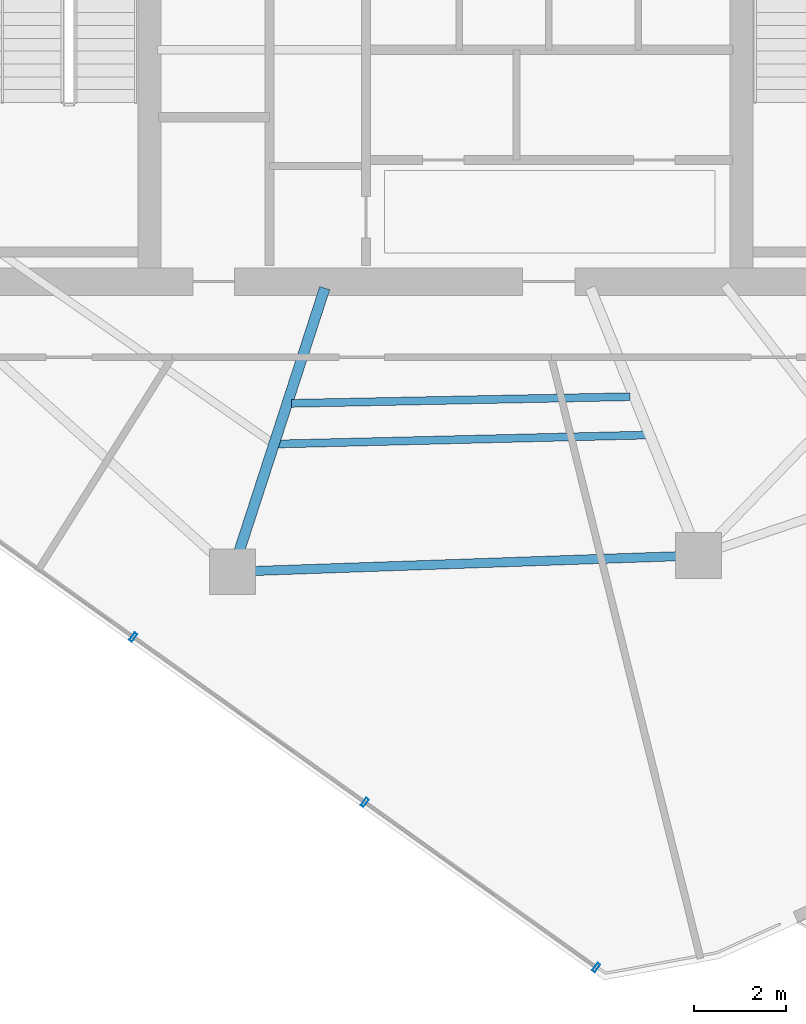
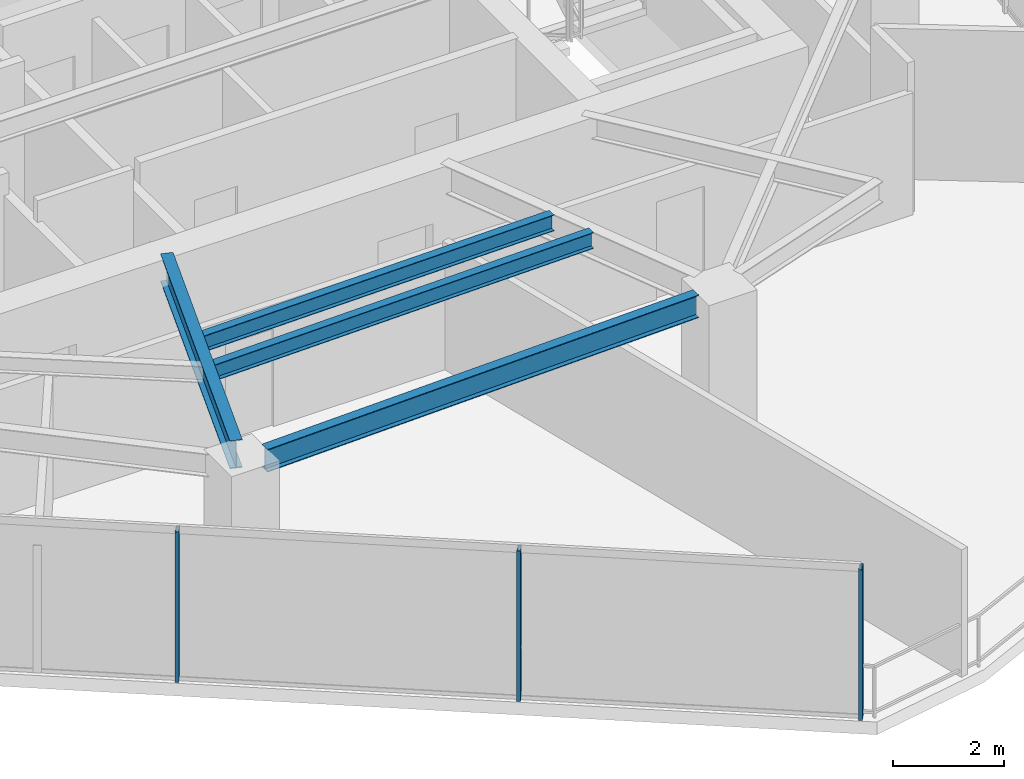
# One storey, part 4 of 21: 4 beams, 3 members, 1 element without a shape of its own.
"""IFC4 building model written with IfcOpenShell, lengths in metres."""

from ifc_helpers import new_model, si_unit, direction, frame, origin, origin_2d, place, context, subcontext, project, spatial, hollow_rectangle, i_section, extrude, material, layer, layer_set, material_profile, profile_set, type_object, element, aggregate, save


model = new_model("IFC4")

# Units and contexts
model_context = context("Model", 3, precision=1e-05, world=origin(), true_north=direction((0.0, 1.0)))
body_context = subcontext(model_context, "Body", "Model", "MODEL_VIEW")
ifc_project = project(units=[si_unit("LENGTHUNIT", "METRE"), si_unit("AREAUNIT", "SQUARE_METRE"), si_unit("VOLUMEUNIT", "CUBIC_METRE"), si_unit("PLANEANGLEUNIT", "RADIAN"), si_unit("MASSUNIT", "GRAM", prefix="KILO")], contexts=[model_context])

# Site, building, storey
site_placement = place(None, origin())
site = spatial("IfcSite", under=ifc_project, at=site_placement, CompositionType="ELEMENT")
building_placement = place(site_placement, origin())
building = spatial("IfcBuilding", under=site, at=building_placement, Name="Qarnah Convention Tower", CompositionType="ELEMENT")
storey_placement = place(building_placement, frame((0.0, 0.0, 158.10009765625)))
storey = spatial("IfcBuildingStorey", under=building, at=storey_placement, Name="L42", CompositionType="ELEMENT", Elevation=158.10009765625)

# Beams
ifc_material_1 = material(Name="Structural steel S355JR", Category="steel")
ifc_material_profile_1 = material_profile(ifc_material_1, i_section(OverallWidth=0.172119140625, OverallDepth=0.35595703125, WebThickness=0.007080078125, FlangeThickness=0.011962890625, at=origin_2d()), Name="W360X51")
ifc_profile_set_1 = profile_set([ifc_material_profile_1], Name="Structural steel S355JR")
beam_type_1 = type_object("IfcBeamType", Name="BM-JST-W360", PredefinedType="JOIST", material=ifc_profile_set_1)
beam_1_placement = place(storey_placement, frame((33.60498046875, 15.06103515625, 3.141845703125), z_axis=(0.999707078051, 0.024202439856, 0.0), x_axis=(-0.024202439856, 0.999707078051, 0.0)))
element("IfcBeam", 1, at=beam_1_placement, inside=storey, type_object=beam_type_1, Name="L42 joist BM-L42-SJST-07", PredefinedType="JOIST", context=body_context, shape_type="SweptSolid", body=[
    extrude(i_section(OverallWidth=0.172119140625, OverallDepth=0.35595703125, WebThickness=0.007080078125, FlangeThickness=0.011962890625, at=origin_2d()), origin(), (0.0, 0.0, 1.0), 8.009521484375),
])
beam_2_placement = place(storey_placement, frame((33.89306640625, 15.946044921875, 3.141845703125), z_axis=(0.999807032835, 0.019644263612, 0.0), x_axis=(-0.019644263612, 0.999807032835, 0.0)))
element("IfcBeam", 2, at=beam_2_placement, inside=storey, type_object=beam_type_1, Name="L42 joist BM-L42-IJST-07", PredefinedType="JOIST", context=body_context, shape_type="SweptSolid", body=[
    extrude(i_section(OverallWidth=0.172119140625, OverallDepth=0.35595703125, WebThickness=0.007080078125, FlangeThickness=0.011962890625, at=origin_2d()), origin(), (0.0, 0.0, 1.0), 7.38232421875),
])
ifc_material_profile_2 = material_profile(ifc_material_1, i_section(OverallWidth=0.22998046875, OverallDepth=0.617919921875, WebThickness=0.012939453125, FlangeThickness=0.02197265625, at=origin_2d()), Name="W610X140")
ifc_profile_set_2 = profile_set([ifc_material_profile_2], Name="Structural steel S355JR")
beam_type_2 = type_object("IfcBeamType", Name="BM-RAD-W610A", PredefinedType="BEAM", material=ifc_profile_set_2)
beam_3_placement = place(storey_placement, frame((34.6201171875, 18.45703125, 3.010986328125), z_axis=(-0.30919796314, -0.950997696942, 0.0), x_axis=(0.950997696942, -0.30919796314, 0.0)))
element("IfcBeam", 3, at=beam_3_placement, inside=storey, type_object=beam_type_2, Name="L42 beam BM-L42-RAD-07", PredefinedType="BEAM", context=body_context, shape_type="SweptSolid", body=[
    extrude(i_section(OverallWidth=0.22998046875, OverallDepth=0.617919921875, WebThickness=0.012939453125, FlangeThickness=0.02197265625, at=origin_2d()), origin(), (0.0, 0.0, 1.0), 6.01904296875),
])
ifc_material_profile_3 = material_profile(ifc_material_1, i_section(OverallWidth=0.199951171875, OverallDepth=0.5, WebThickness=0.010009765625, FlangeThickness=0.01611328125, at=origin_2d()), Name="IPE500")
ifc_profile_set_3 = profile_set([ifc_material_profile_3], Name="Structural steel S355JR")
beam_type_3 = type_object("IfcBeamType", Name="BM-SPN-IPE500", PredefinedType="SPANDREL", material=ifc_profile_set_3)
beam_4_placement = place(storey_placement, frame((33.10107421875, 12.2939453125, 3.06982421875), z_axis=(0.999391665003, 0.034875491717, 0.0), x_axis=(-0.034875491717, 0.999391665003, 0.0)))
element("IfcBeam", 4, at=beam_4_placement, inside=storey, type_object=beam_type_3, Name="L42 spandrel BM-L42-SPN-07", PredefinedType="SPANDREL", context=body_context, shape_type="SweptSolid", body=[
    extrude(i_section(OverallWidth=0.199951171875, OverallDepth=0.5, WebThickness=0.010009765625, FlangeThickness=0.01611328125, at=origin_2d()), origin(), (0.0, 0.0, 1.0), 9.177490234375),
])

# Curtain wall, members
ifc_material_2 = material(Name="Tempered Low-E dark glass", Category="glass")
ifc_layer = layer(ifc_material_2, 0.172119140625)
ifc_layer_set = layer_set([ifc_layer], Name="Tempered Low-E dark glass")
curtain_wall_type = type_object("IfcCurtainWallType", Name="CWS-03", PredefinedType="NOTDEFINED", material=ifc_layer_set)
curtain_wall_placement = place(storey_placement, origin())
curtain_wall = element("IfcCurtainWall", 5, at=curtain_wall_placement, inside=storey, type_object=curtain_wall_type, Name="L42 unitised curtain wall CW-L42-F2", PredefinedType="NOTDEFINED")
ifc_material_3 = material(Name="Black anodised aluminium", Category="aluminium")
ifc_material_profile_4 = material_profile(ifc_material_3, hollow_rectangle(XDim=0.070068359375, YDim=0.199951171875, WallThickness=0.0048828125, at=origin_2d()), Name="MUL-70X200")
ifc_profile_set_4 = profile_set([ifc_material_profile_4], Name="Black anodised aluminium")
member_type = type_object("IfcMemberType", Name="MUL-T3", PredefinedType="MULLION", material=ifc_profile_set_4)
member_1_placement = place(storey_placement, frame((40.533935546875, 3.654052734375, 0.0), z_axis=(0.0, 0.0, 1.0), x_axis=(-0.81391448901, 0.580984685322, 0.0)))
member_1 = element("IfcMember", 6, at=member_1_placement, type_object=member_type, Name="CW-L42-F2 mullion 1", PredefinedType="MULLION", context=body_context, shape_type="SweptSolid", body=[
    extrude(hollow_rectangle(XDim=0.070068359375, YDim=0.199951171875, WallThickness=0.0048828125, at=origin_2d()), origin(), (0.0, 0.0, 1.0), 3.31982421875),
])
member_2_placement = place(storey_placement, frame((35.49169921875, 7.253173828125, 0.0), z_axis=(0.0, 0.0, 1.0), x_axis=(-0.81391448901, 0.580984685322, 0.0)))
member_2 = element("IfcMember", 7, at=member_2_placement, type_object=member_type, Name="CW-L42-F2 mullion 2", PredefinedType="MULLION", context=body_context, shape_type="SweptSolid", body=[
    extrude(hollow_rectangle(XDim=0.070068359375, YDim=0.199951171875, WallThickness=0.0048828125, at=origin_2d()), origin(), (0.0, 0.0, 1.0), 3.31982421875),
])
member_3_placement = place(storey_placement, frame((30.44970703125, 10.852294921875, 0.0), z_axis=(0.0, 0.0, 1.0), x_axis=(-0.81391448901, 0.580984685322, 0.0)))
member_3 = element("IfcMember", 8, at=member_3_placement, type_object=member_type, Name="CW-L42-F2 mullion 3", PredefinedType="MULLION", context=body_context, shape_type="SweptSolid", body=[
    extrude(hollow_rectangle(XDim=0.070068359375, YDim=0.199951171875, WallThickness=0.0048828125, at=origin_2d()), origin(), (0.0, 0.0, 1.0), 3.31982421875),
])
aggregate(curtain_wall, [member_1, member_2, member_3])

save(model, "model.ifc")
